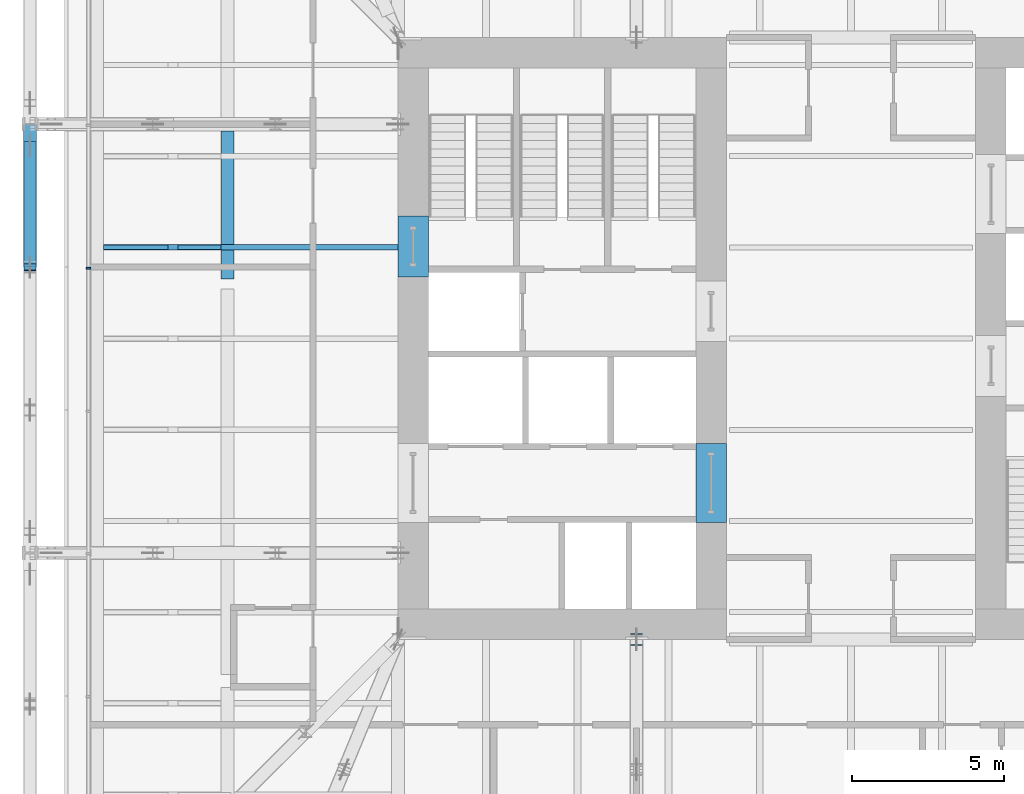
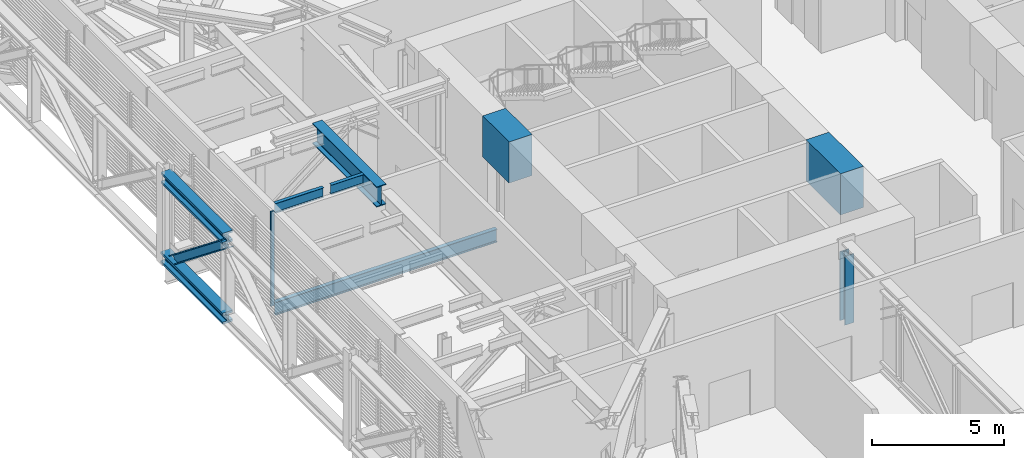
# One storey, part 8 of 33: 8 beams, 3 members, 1 element without a shape of its own.
"""IFC4 building model written with IfcOpenShell, lengths in metres."""

from ifc_helpers import new_model, si_unit, direction, frame, origin, origin_2d, place, context, subcontext, project, spatial, rectangle, i_section, extrude, material, layer, layer_set, material_profile, profile_set, type_object, element, aggregate, save


model = new_model("IFC4")

# Units and contexts
model_context = context("Model", 3, precision=1e-05, world=origin(), true_north=direction((0.0, 1.0)))
body_context = subcontext(model_context, "Body", "Model", "MODEL_VIEW")
ifc_project = project(units=[si_unit("LENGTHUNIT", "METRE"), si_unit("AREAUNIT", "SQUARE_METRE"), si_unit("VOLUMEUNIT", "CUBIC_METRE"), si_unit("PLANEANGLEUNIT", "RADIAN"), si_unit("MASSUNIT", "GRAM", prefix="KILO")], contexts=[model_context])

# Site, building, storey
site_placement = place(None, origin())
site = spatial("IfcSite", under=ifc_project, at=site_placement, CompositionType="ELEMENT")
building_placement = place(site_placement, origin())
building = spatial("IfcBuilding", under=site, at=building_placement, Name="Millrace Tower", CompositionType="ELEMENT")
storey_placement = place(building_placement, frame((0.0, 0.0, 64.10009765625)))
storey = spatial("IfcBuildingStorey", under=building, at=storey_placement, Name="L14", CompositionType="ELEMENT", Elevation=64.10009765625)

# Beams
ifc_material_1 = material(Name="Steel ASTM A992 Grade 50", Category="steel")
ifc_material_profile_1 = material_profile(ifc_material_1, i_section(OverallWidth=0.436767578125, OverallDepth=0.51318359375, WebThickness=0.060546875, FlangeThickness=0.096923828125, FilletRadius=0.01513671875, at=origin_2d()))
ifc_profile_set_1 = profile_set([ifc_material_profile_1], Name="Steel ASTM A992 Grade 50")
beam_type_1 = type_object("IfcBeamType", Name="Belt truss chord W14x550", PredefinedType="BEAM", material=ifc_profile_set_1)
beam_1_placement = place(storey_placement, frame((-27.0, 7.050048828125, 0.25634765625), z_axis=(0.0, -1.0, 0.0), x_axis=(1.0, 0.0, 0.0)))
element("IfcBeam", 1, at=beam_1_placement, inside=storey, type_object=beam_type_1, Name="BLT-L14-R15-B01", PredefinedType="BEAM", context=body_context, shape_type="SweptSolid", body=[
    extrude(i_section(OverallWidth=0.436767578125, OverallDepth=0.51318359375, WebThickness=0.060546875, FlangeThickness=0.096923828125, FilletRadius=0.01513671875, at=origin_2d()), origin(), (0.0, 0.0, 1.0), 4.699951171875),
])
beam_2_placement = place(storey_placement, frame((-27.0, 7.03271484375, 3.943359375), z_axis=(0.0, -1.0, 0.0), x_axis=(1.0, 0.0, 0.0)))
element("IfcBeam", 2, at=beam_2_placement, inside=storey, type_object=beam_type_1, Name="BLT-L14-R15-T01", PredefinedType="BEAM", context=body_context, shape_type="SweptSolid", body=[
    extrude(i_section(OverallWidth=0.436767578125, OverallDepth=0.51318359375, WebThickness=0.060546875, FlangeThickness=0.096923828125, FilletRadius=0.01513671875, at=origin_2d()), origin(), (0.0, 0.0, 1.0), 4.6826171875),
])

# Member
ifc_material_2 = material(Name="Steel ASTM A992 Grade 50", Category="steel")
ifc_material_profile_2 = material_profile(ifc_material_2, i_section(OverallWidth=0.40380859375, OverallDepth=0.406494140625, WebThickness=0.027099609375, FlangeThickness=0.043701171875, FilletRadius=0.01513671875, at=origin_2d()))
ifc_profile_set_2 = profile_set([ifc_material_profile_2], Name="Steel ASTM A992 Grade 50")
member_type_1 = type_object("IfcMemberType", Name="Belt truss diagonal W14x233", PredefinedType="BRACE", material=ifc_profile_set_2)
member_1_placement = place(storey_placement, frame((-27.0, 6.35009765625, 0.512939453125), z_axis=(0.0, -0.783362807967, 0.621564728001), x_axis=(1.0, 0.0, 0.0)))
element("IfcMember", 3, at=member_1_placement, inside=storey, type_object=member_type_1, Name="BLT-L14-R15-D01", PredefinedType="BRACE", context=body_context, shape_type="SweptSolid", body=[
    extrude(i_section(OverallWidth=0.40380859375, OverallDepth=0.406494140625, WebThickness=0.027099609375, FlangeThickness=0.043701171875, FilletRadius=0.01513671875, at=origin_2d()), origin(), (0.0, 0.0, 1.0), 5.106201171875),
])

# Curtain wall, member
ifc_material_3 = material(Name="Aluminium and glass", Category="aluminium")
ifc_layer = layer(ifc_material_3, 0.14990234375)
ifc_layer_set = layer_set([ifc_layer], Name="Aluminium and glass")
curtain_wall_type = type_object("IfcCurtainWallType", Name="CW-5 truss and plant storey louvred infill", PredefinedType="NOTDEFINED", material=ifc_layer_set)
curtain_wall_placement = place(storey_placement, origin())
curtain_wall = element("IfcCurtainWall", 4, at=curtain_wall_placement, inside=storey, type_object=curtain_wall_type, Name="Curtain wall A-F08 L14", PredefinedType="NOTDEFINED")
ifc_material_4 = material(Name="Aluminium", Category="aluminium")
ifc_material_profile_3 = material_profile(ifc_material_4, rectangle(XDim=0.06494140625, YDim=0.14990234375, at=origin_2d()))
ifc_profile_set_3 = profile_set([ifc_material_profile_3], Name="Aluminium")
member_type_2 = type_object("IfcMemberType", Name="CW-5 truss and plant storey louvred infill mullion", PredefinedType="MULLION", material=ifc_profile_set_3)
member_2_placement = place(storey_placement, frame((-25.074951171875, 2.3173828125, 0.139892578125), z_axis=(0.0, 0.0, 1.0), x_axis=(0.0, -1.0, 0.0)))
member_2 = element("IfcMember", 5, at=member_2_placement, type_object=member_type_2, Name="CW5 mullion A-F08.5", PredefinedType="MULLION", context=body_context, shape_type="SweptSolid", body=[
    extrude(rectangle(XDim=0.06494140625, YDim=0.14990234375, at=origin_2d()), origin(), (0.0, 0.0, 1.0), 4.360107421875),
])
aggregate(curtain_wall, [member_2])

# Beams
ifc_material_5 = material(Name="Concrete C80", Category="concrete")
ifc_material_profile_4 = material_profile(ifc_material_5, rectangle(XDim=1.0, YDim=1.89990234375, at=origin_2d()))
ifc_profile_set_4 = profile_set([ifc_material_profile_4], Name="Concrete C80")
beam_type_2 = type_object("IfcBeamType", Name="Coupling beam 1000 x 1900 Concrete C80, 1300 opening", PredefinedType="BEAM", material=ifc_profile_set_4)
beam_3_placement = place(storey_placement, frame((-14.39990234375, 2.032470703125, 3.349853515625), z_axis=(0.0, 1.0, 0.0), x_axis=(-1.0, 0.0, 0.0)))
element("IfcBeam", 6, at=beam_3_placement, inside=storey, type_object=beam_type_2, Name="Coupling beam W L14", PredefinedType="BEAM", context=body_context, shape_type="SweptSolid", body=[
    extrude(rectangle(XDim=1.0, YDim=1.89990234375, at=origin_2d()), origin(), (0.0, 0.0, 1.0), 1.9951171875),
])
ifc_material_6 = material(Name="Concrete C80", Category="concrete")
ifc_material_profile_5 = material_profile(ifc_material_6, rectangle(XDim=1.0, YDim=1.89990234375, at=origin_2d()))
ifc_profile_set_5 = profile_set([ifc_material_profile_5], Name="Concrete C80")
beam_type_3 = type_object("IfcBeamType", Name="Coupling beam 1000 x 1900 Concrete C80, 2000 opening", PredefinedType="BEAM", material=ifc_profile_set_5)
beam_4_placement = place(storey_placement, frame((-4.60009765625, -6.050048828125, 3.349853515625), z_axis=(0.0, 1.0, 0.0), x_axis=(-1.0, 0.0, 0.0)))
element("IfcBeam", 7, at=beam_4_placement, inside=storey, type_object=beam_type_3, Name="Coupling beam W L14", PredefinedType="BEAM", context=body_context, shape_type="SweptSolid", body=[
    extrude(rectangle(XDim=1.0, YDim=1.89990234375, at=origin_2d()), origin(), (0.0, 0.0, 1.0), 2.60009765625),
])
ifc_material_7 = material(Name="Steel ASTM A992 Grade 50", Category="steel")
ifc_material_profile_6 = material_profile(ifc_material_7, i_section(OverallWidth=0.15234375, OverallDepth=0.449462890625, WebThickness=0.007568359375, FlangeThickness=0.0107421875, FilletRadius=0.01025390625, at=origin_2d()))
ifc_profile_set_6 = profile_set([ifc_material_profile_6], Name="Steel ASTM A992 Grade 50")
beam_type_4 = type_object("IfcBeamType", Name="Floor beam W18x35", PredefinedType="JOIST", material=ifc_profile_set_6)
beam_5_placement = place(storey_placement, frame((-24.578369140625, 3.0, 4.0751953125), z_axis=(1.0, 0.0, 0.0), x_axis=(0.0, 1.0, 0.0)))
element("IfcBeam", 8, at=beam_5_placement, inside=storey, type_object=beam_type_4, Name="BM-A-L14-R1-S010-a", PredefinedType="JOIST", context=body_context, shape_type="SweptSolid", body=[
    extrude(i_section(OverallWidth=0.15234375, OverallDepth=0.449462890625, WebThickness=0.007568359375, FlangeThickness=0.0107421875, FilletRadius=0.01025390625, at=origin_2d()), origin(), (0.0, 0.0, 1.0), 2.116943359375),
])
beam_6_placement = place(storey_placement, frame((-22.138427734375, 3.0, 4.0751953125), z_axis=(1.0, 0.0, 0.0), x_axis=(0.0, 1.0, 0.0)))
element("IfcBeam", 9, at=beam_6_placement, inside=storey, type_object=beam_type_4, Name="BM-A-L14-R1-S010-b", PredefinedType="JOIST", context=body_context, shape_type="SweptSolid", body=[
    extrude(i_section(OverallWidth=0.15234375, OverallDepth=0.449462890625, WebThickness=0.007568359375, FlangeThickness=0.0107421875, FilletRadius=0.01025390625, at=origin_2d()), origin(), (0.0, 0.0, 1.0), 1.416748046875),
])
ifc_material_8 = material(Name="Steel ASTM A992 Grade 50", Category="steel")
ifc_material_profile_7 = material_profile(ifc_material_8, i_section(OverallWidth=0.177978515625, OverallDepth=0.599365234375, WebThickness=0.010009765625, FlangeThickness=0.012939453125, FilletRadius=0.012939453125, at=origin_2d()))
ifc_profile_set_7 = profile_set([ifc_material_profile_7], Name="Steel ASTM A992 Grade 50")
beam_type_5 = type_object("IfcBeamType", Name="Floor beam W24x55", PredefinedType="JOIST", material=ifc_profile_set_7)
beam_7_placement = place(storey_placement, frame((-24.578369140625, 3.0, -0.5498046875), z_axis=(1.0, 0.0, 0.0), x_axis=(0.0, 1.0, 0.0)))
element("IfcBeam", 10, at=beam_7_placement, inside=storey, type_object=beam_type_5, Name="BM-A-L14-S1-S024", PredefinedType="JOIST", context=body_context, shape_type="SweptSolid", body=[
    extrude(i_section(OverallWidth=0.177978515625, OverallDepth=0.599365234375, WebThickness=0.010009765625, FlangeThickness=0.012939453125, FilletRadius=0.012939453125, at=origin_2d()), origin(), (0.0, 0.0, 1.0), 9.678466796875),
])

# Member
ifc_material_9 = material(Name="Steel ASTM A992 Grade 50", Category="steel")
ifc_material_profile_8 = material_profile(ifc_material_9, i_section(OverallWidth=0.398681640625, OverallDepth=0.393798828125, WebThickness=0.022705078125, FlangeThickness=0.03662109375, FilletRadius=0.01513671875, at=origin_2d()))
ifc_profile_set_8 = profile_set([ifc_material_profile_8], Name="Steel ASTM A992 Grade 50")
member_type_3 = type_object("IfcMemberType", Name="Outrigger truss post W14x193", PredefinedType="POST", material=ifc_profile_set_8)
member_3_placement = place(storey_placement, frame((-7.050048828125, -9.89990234375, 0.512939453125), z_axis=(0.0, 0.0, 1.0), x_axis=(1.0, 0.0, 0.0)))
element("IfcMember", 11, at=member_3_placement, inside=storey, type_object=member_type_3, Name="BLT-L14-O03-V00", PredefinedType="POST", context=body_context, shape_type="SweptSolid", body=[
    extrude(i_section(OverallWidth=0.398681640625, OverallDepth=0.393798828125, WebThickness=0.022705078125, FlangeThickness=0.03662109375, FilletRadius=0.01513671875, at=origin_2d()), origin(), (0.0, 0.0, 1.0), 3.173828125),
])

# Beam
ifc_material_10 = material(Name="Steel ASTM A992 Grade 50", Category="steel")
ifc_material_profile_9 = material_profile(ifc_material_10, i_section(OverallWidth=0.421630859375, OverallDepth=0.937255859375, WebThickness=0.021240234375, FlangeThickness=0.03662109375, FilletRadius=0.024169921875, at=origin_2d()))
ifc_profile_set_9 = profile_set([ifc_material_profile_9], Name="Steel ASTM A992 Grade 50")
beam_type_6 = type_object("IfcBeamType", Name="Ring beam short span W36x262", PredefinedType="SPANDREL", material=ifc_profile_set_9)
beam_8_placement = place(storey_placement, frame((-20.5107421875, 6.828857421875, 3.831298828125), z_axis=(0.0, -1.0, 0.0), x_axis=(1.0, 0.0, 0.0)))
element("IfcBeam", 12, at=beam_8_placement, inside=storey, type_object=beam_type_6, Name="RNG-A-L14-R1-13-a-b-a-a", PredefinedType="SPANDREL", context=body_context, shape_type="SweptSolid", body=[
    extrude(i_section(OverallWidth=0.421630859375, OverallDepth=0.937255859375, WebThickness=0.021240234375, FlangeThickness=0.03662109375, FilletRadius=0.024169921875, at=origin_2d()), origin(), (0.0, 0.0, 1.0), 4.86474609375),
])

save(model, "model.ifc")
